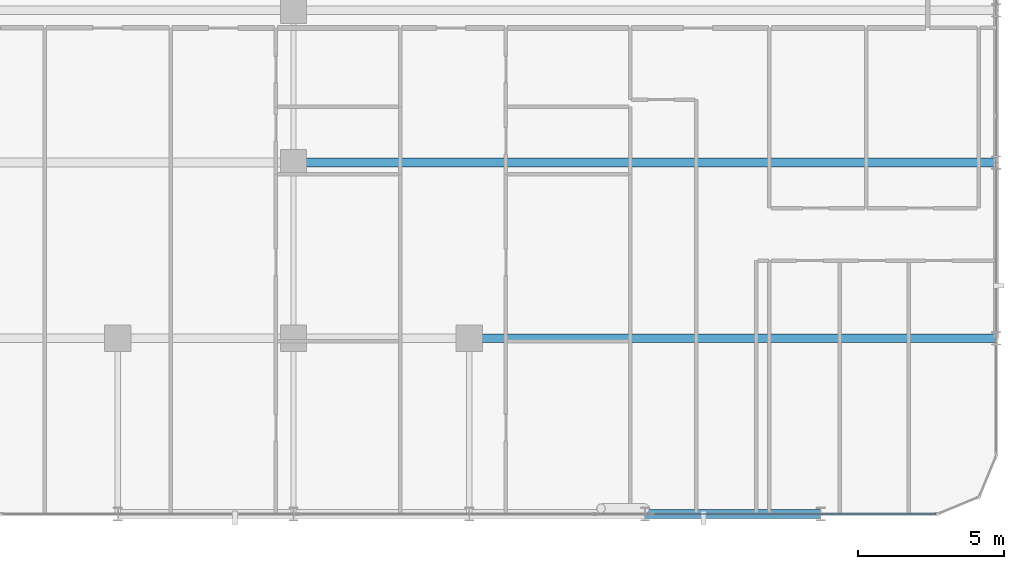
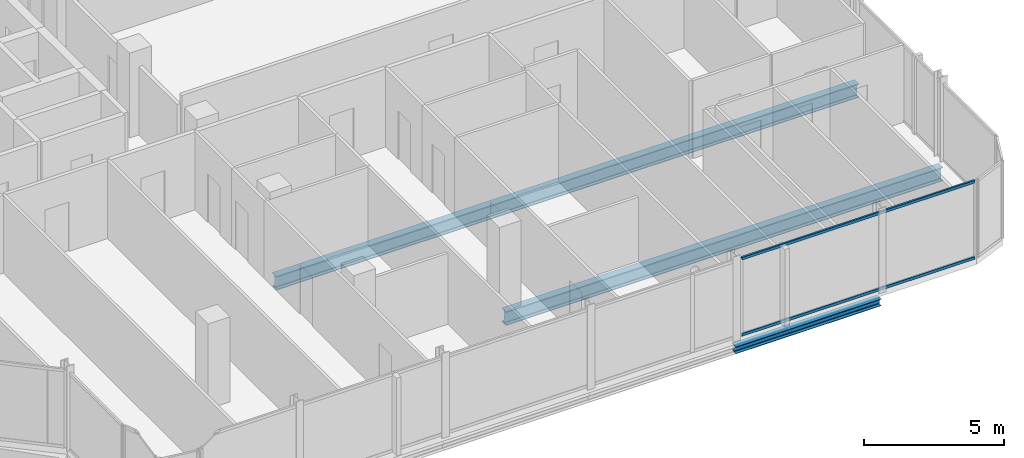
# One storey, part 11 of 29: 3 beams, 2 members, 1 element without a shape of its own.
"""IFC4 building model written with IfcOpenShell, lengths in metres."""

import ifcopenshell
import ifcopenshell.guid

model = None  # the IFC model being written
_history = None  # IfcOwnerHistory: only IFC2X3 demands one
_inside = {}  # id of a spatial element -> (the spatial element, [elements in it])
_under = {}  # id of a project, library or spatial element -> (it, [spatial elements below it])
_declared = {}  # id of a project -> (the project, [libraries it declares])
_typed = {}  # id of a type object -> (the type object, [elements of that type])
_made_of = {}  # id of a material, layer set ... -> (it, [elements and type objects made of it])


def new_model(schema):
    """Start an empty IFC model of exactly this schema.

    Asked for "IFC4X3", IfcOpenShell would pick the latest addendum, in which some entities
    have other attributes; the version numbers below select the first issue.
    IFC2X3 requires an IfcOwnerHistory on every rooted entity: one is made here for all.
    """
    global model, _history
    if schema == "IFC4X3":
        model = ifcopenshell.file(schema_version=(4, 3, 0, 0))
    else:
        model = ifcopenshell.file(schema=schema)
    _inside.clear()
    _under.clear()
    _declared.clear()
    _typed.clear()
    _made_of.clear()
    _history = None
    if model.schema == "IFC2X3":
        org = make("IfcOrganization", Name="unknown")
        user = make(
            "IfcPersonAndOrganization",
            ThePerson=make("IfcPerson", FamilyName="unknown"),
            TheOrganization=org,
        )
        app = make(
            "IfcApplication",
            ApplicationDeveloper=org,
            Version="unknown",
            ApplicationFullName="unknown",
            ApplicationIdentifier="unknown",
        )
        _history = make(
            "IfcOwnerHistory",
            OwningUser=user,
            OwningApplication=app,
            ChangeAction="ADDED",
            CreationDate=0,
        )
    return model


def make(cls, **values):
    """One entity of the class cls with the attributes given. An attribute that is None is left unset."""
    return model.create_entity(
        cls, **{name: value for name, value in values.items() if value is not None}
    )


def rooted(cls, **values):
    """An entity with a GlobalId (a new one), such as an element, a storey or a relation."""
    return make(cls, GlobalId=ifcopenshell.guid.new(), OwnerHistory=_history, **values)


def si_unit(unit_type, name, prefix=None):
    """IfcSIUnit, for example si_unit("LENGTHUNIT", "METRE", prefix="MILLI")."""
    return make("IfcSIUnit", UnitType=unit_type, Prefix=prefix, Name=name)


def assignment(units):
    """IfcUnitAssignment: the units of a project."""
    return None if units is None else make("IfcUnitAssignment", Units=units)


def point(xyz):
    """IfcCartesianPoint."""
    return None if xyz is None else make("IfcCartesianPoint", Coordinates=xyz)


def direction(xyz):
    """IfcDirection."""
    return None if xyz is None else make("IfcDirection", DirectionRatios=xyz)


def frame(location, z_axis=None, x_axis=None):
    """IfcAxis2Placement3D, a coordinate frame: its origin and axes. An axis left out is left unset."""
    return make(
        "IfcAxis2Placement3D",
        Location=point(location),
        Axis=direction(z_axis),
        RefDirection=direction(x_axis),
    )


def frame_2d(location, x_axis=None):
    """IfcAxis2Placement2D, a coordinate frame in the plane: its origin and x axis."""
    return make(
        "IfcAxis2Placement2D", Location=point(location), RefDirection=direction(x_axis)
    )


def origin():
    """The frame at (0, 0, 0) with its axes left unset."""
    return frame((0.0, 0.0, 0.0))


def origin_2d():
    """The frame at (0, 0) in the plane with its x axis left unset."""
    return frame_2d((0.0, 0.0))


def place(relative_to, where):
    """IfcLocalPlacement: puts the frame where relative to a parent placement (None: the world)."""
    return make(
        "IfcLocalPlacement", PlacementRelTo=relative_to, RelativePlacement=where
    )


def context(
    kind, dimensions, precision=None, world=None, true_north=None, identifier=None
):
    """IfcGeometricRepresentationContext, for example the 3D "Model" context."""
    return make(
        "IfcGeometricRepresentationContext",
        ContextIdentifier=identifier,
        ContextType=kind,
        CoordinateSpaceDimension=dimensions,
        Precision=precision,
        WorldCoordinateSystem=world,
        TrueNorth=true_north,
    )


def subcontext(parent, identifier, kind, view, scale=None):
    """IfcGeometricRepresentationSubContext, for example "Body" below "Model"."""
    return make(
        "IfcGeometricRepresentationSubContext",
        ContextIdentifier=identifier,
        ContextType=kind,
        ParentContext=parent,
        TargetScale=scale,
        TargetView=view,
    )


def project(units=None, contexts=None):
    """IfcProject with its units and contexts."""
    return rooted(
        "IfcProject",
        Name="project",
        RepresentationContexts=contexts,
        UnitsInContext=assignment(units),
    )


def spatial(cls, under=None, at=None, **own):
    """A site, building, storey or space (cls), placed at a placement, below another one or the project."""
    s = rooted(cls, ObjectPlacement=at, **own)
    if under is not None:
        _under.setdefault(under.id(), (under, []))[1].append(s)
    return s


def profile(cls, at=None, kind="AREA", **sizes):
    """A parametric profile (cls). Its sizes go by their IFC names, for example OverallWidth=200.0."""
    return make(cls, ProfileType=kind, Position=at, **sizes)


def hollow_rectangle(**sizes):
    """IfcRectangleHollowProfileDef."""
    return profile("IfcRectangleHollowProfileDef", **sizes)


def i_section(**sizes):
    """IfcIShapeProfileDef."""
    return profile("IfcIShapeProfileDef", **sizes)


def extrude(swept, where, along, depth):
    """IfcExtrudedAreaSolid: the profile swept, set in the frame where, extruded along a direction by depth."""
    return make(
        "IfcExtrudedAreaSolid",
        SweptArea=swept,
        Position=where,
        ExtrudedDirection=direction(along),
        Depth=depth,
    )


def shape(context_of_items, identifier, shape_type, items):
    """IfcShapeRepresentation: the items that make up one representation, for example the "Body"."""
    return make(
        "IfcShapeRepresentation",
        ContextOfItems=context_of_items,
        RepresentationIdentifier=identifier,
        RepresentationType=shape_type,
        Items=items,
    )


def material(Name=None, Category=None):
    """IfcMaterial."""
    return make("IfcMaterial", Name=Name, Category=Category)


def layer(
    of_material, thickness, ventilated=None, Name=None, Category=None, Priority=None
):
    """IfcMaterialLayer: one layer of a wall or slab, of a material (None: an air gap)."""
    return make(
        "IfcMaterialLayer",
        Material=of_material,
        LayerThickness=thickness,
        IsVentilated=ventilated,
        Name=Name,
        Category=Category,
        Priority=Priority,
    )


def layer_set(layers, Name=None):
    """IfcMaterialLayerSet."""
    return make("IfcMaterialLayerSet", MaterialLayers=layers, LayerSetName=Name)


def material_profile(
    of_material, cross_section, Name=None, Category=None, Priority=None
):
    """IfcMaterialProfile: a cross section and its material."""
    return make(
        "IfcMaterialProfile",
        Name=Name,
        Material=of_material,
        Profile=cross_section,
        Priority=Priority,
        Category=Category,
    )


def profile_set(profiles, Name=None, composite=None):
    """IfcMaterialProfileSet."""
    return make(
        "IfcMaterialProfileSet",
        Name=Name,
        MaterialProfiles=profiles,
        CompositeProfile=composite,
    )


def made_of(thing, what):
    """Note that an element or type object is made of a material, layer set ...; save() writes the relation."""
    if what is not None:
        _made_of.setdefault(what.id(), (what, []))[1].append(thing)
    return thing


def type_object(cls, material=None, **own):
    """A type object (cls), such as IfcWallType, which elements share."""
    return made_of(rooted(cls, **own), material)


def element(
    cls,
    number,
    at=None,
    inside=None,
    cuts=None,
    type_object=None,
    material=None,
    context=None,
    identifier="Body",
    shape_type=None,
    held_by="IfcProductDefinitionShape",
    body=None,
    shapes=None,
    **own,
):
    """One element of the class cls, such as IfcWall. Its Tag is "e" and its number.

    at: its placement. inside: the storey or other place that contains it. cuts: it is an
    opening in that element (IfcRelVoidsElement). A single representation is given by context,
    identifier, shape_type and body (its items); several are given by shapes. held_by: the class
    of the entity that holds the representations. save() writes the other relations.
    """
    e = rooted(cls, Tag="e%d" % number, ObjectPlacement=at, **own)
    if body is not None:
        shapes = [shape(context, identifier, shape_type, body)]
    if shapes is not None:
        e.Representation = make(held_by, Representations=shapes)
    if inside is not None:
        _inside.setdefault(inside.id(), (inside, []))[1].append(e)
    if cuts is not None:
        rooted(
            "IfcRelVoidsElement", RelatingBuildingElement=cuts, RelatedOpeningElement=e
        )
    if type_object is not None:
        _typed.setdefault(type_object.id(), (type_object, []))[1].append(e)
    return made_of(e, material)


def aggregate(whole, parts):
    """IfcRelAggregates: a whole, such as a stair, and the parts it consists of."""
    return rooted("IfcRelAggregates", RelatingObject=whole, RelatedObjects=parts)


def save(model, path):
    """Write the relations noted so far, then the file.

    IfcRelAggregates (storeys below a building ...), IfcRelContainedInSpatialStructure (elements
    in a storey), IfcRelDefinesByType, IfcRelAssociatesMaterial and IfcRelDeclares: one each for
    every whole, place, type object, material and project.
    """
    for whole, parts in _under.values():
        aggregate(whole, parts)
    for where, things in _inside.values():
        rooted(
            "IfcRelContainedInSpatialStructure",
            RelatedElements=things,
            RelatingStructure=where,
        )
    for kind, things in _typed.values():
        rooted("IfcRelDefinesByType", RelatedObjects=things, RelatingType=kind)
    for what, things in _made_of.values():
        rooted("IfcRelAssociatesMaterial", RelatedObjects=things, RelatingMaterial=what)
    for by, libraries in _declared.values():
        rooted("IfcRelDeclares", RelatingContext=by, RelatedDefinitions=libraries)
    model.write(path)


model = new_model("IFC4")

# Units and contexts
model_context = context("Model", 3, precision=1e-05, world=origin(), true_north=direction((0.0, 1.0)))
body_context = subcontext(model_context, "Body", "Model", "MODEL_VIEW")
ifc_project = project(units=[si_unit("LENGTHUNIT", "METRE"), si_unit("AREAUNIT", "SQUARE_METRE"), si_unit("VOLUMEUNIT", "CUBIC_METRE"), si_unit("PLANEANGLEUNIT", "RADIAN"), si_unit("MASSUNIT", "GRAM", prefix="KILO")], contexts=[model_context])

# Site, building, storey
site_placement = place(None, origin())
site = spatial("IfcSite", under=ifc_project, at=site_placement, CompositionType="ELEMENT")
building_placement = place(site_placement, origin())
building = spatial("IfcBuilding", under=site, at=building_placement, Name="Keshet Zoharim Tower", CompositionType="ELEMENT")
storey_placement = place(building_placement, frame((0.0, 0.0, 195.800048828125)))
storey = spatial("IfcBuildingStorey", under=building, at=storey_placement, Name="L48", CompositionType="ELEMENT", Elevation=195.800048828125)

# Beams
ifc_material_1 = material(Name="Steel S355", Category="steel")
ifc_material_profile_1 = material_profile(ifc_material_1, i_section(OverallWidth=0.300048828125, OverallDepth=0.60009765625, WebThickness=0.015380859375, FlangeThickness=0.030029296875, FilletRadius=0.027099609375, at=origin_2d()), Name="HEB600")
ifc_profile_set_1 = profile_set([ifc_material_profile_1], Name="Steel S355")
beam_type_1 = type_object("IfcBeamType", Name="BM-LNG-HB600", PredefinedType="BEAM", material=ifc_profile_set_1)
beam_1_placement = place(storey_placement, frame((39.0, 6.699951171875, -0.610107421875), z_axis=(1.0, 0.0, 0.0), x_axis=(0.0, 1.0, 0.0)))
element("IfcBeam", 1, at=beam_1_placement, inside=storey, type_object=beam_type_1, Name="L48 Primary Girder X-008", PredefinedType="BEAM", context=body_context, shape_type="SweptSolid", body=[
    extrude(i_section(OverallWidth=0.300048828125, OverallDepth=0.60009765625, WebThickness=0.015380859375, FlangeThickness=0.030029296875, FilletRadius=0.027099609375, at=origin_2d()), origin(), (0.0, 0.0, 1.0), 18.0),
])
beam_2_placement = place(storey_placement, frame((33.0, 12.699951171875, -0.610107421875), z_axis=(1.0, 0.0, 0.0), x_axis=(0.0, 1.0, 0.0)))
element("IfcBeam", 2, at=beam_2_placement, inside=storey, type_object=beam_type_1, Name="L48 Primary Girder X-010", PredefinedType="BEAM", context=body_context, shape_type="SweptSolid", body=[
    extrude(i_section(OverallWidth=0.300048828125, OverallDepth=0.60009765625, WebThickness=0.015380859375, FlangeThickness=0.030029296875, FilletRadius=0.027099609375, at=origin_2d()), origin(), (0.0, 0.0, 1.0), 24.0),
])
ifc_material_profile_2 = material_profile(ifc_material_1, i_section(OverallWidth=0.300048828125, OverallDepth=0.300048828125, WebThickness=0.010986328125, FlangeThickness=0.01904296875, FilletRadius=0.027099609375, at=origin_2d()), Name="HEB300")
ifc_profile_set_2 = profile_set([ifc_material_profile_2], Name="Steel S355")
beam_type_2 = type_object("IfcBeamType", Name="BM-PRI-HB300", PredefinedType="BEAM", material=ifc_profile_set_2)
beam_3_placement = place(storey_placement, frame((45.0, 0.699951171875, -0.4599609375), z_axis=(1.0, 0.0, 0.0), x_axis=(0.0, 1.0, 0.0)))
element("IfcBeam", 3, at=beam_3_placement, inside=storey, type_object=beam_type_2, Name="L48 Primary Girder X-004", PredefinedType="BEAM", context=body_context, shape_type="SweptSolid", body=[
    extrude(i_section(OverallWidth=0.300048828125, OverallDepth=0.300048828125, WebThickness=0.010986328125, FlangeThickness=0.01904296875, FilletRadius=0.027099609375, at=origin_2d()), origin(), (0.0, 0.0, 1.0), 6.0),
])

# Curtain wall, members
ifc_material_2 = material(Name="Aluminium 6063-T6", Category="aluminium")
ifc_layer = layer(ifc_material_2, 0.139892578125)
ifc_layer_set = layer_set([ifc_layer], Name="Aluminium 6063-T6")
curtain_wall_type = type_object("IfcCurtainWallType", Name="CW-SYS-05", PredefinedType="NOTDEFINED", material=ifc_layer_set)
curtain_wall_placement = place(storey_placement, origin())
curtain_wall = element("IfcCurtainWall", 4, at=curtain_wall_placement, inside=storey, type_object=curtain_wall_type, Name="L48 Unitised Curtain Wall 06", PredefinedType="NOTDEFINED")
ifc_material_profile_3 = material_profile(ifc_material_2, hollow_rectangle(XDim=0.074951171875, YDim=0.1201171875, WallThickness=0.00390625, at=origin_2d()), Name="TRN-75x120")
ifc_profile_set_3 = profile_set([ifc_material_profile_3], Name="Aluminium 6063-T6")
member_type = type_object("IfcMemberType", Name="CWT-T12", PredefinedType="USERDEFINED", material=ifc_profile_set_3)
member_1_placement = place(storey_placement, frame((54.929931640625, 0.699951171875, 0.034912109375), z_axis=(-1.0, 0.0, 0.0), x_axis=(0.0, -1.0, 0.0)))
member_1 = element("IfcMember", 5, at=member_1_placement, type_object=member_type, Name="CW-05 transom 1.1", ObjectType="TRANSOM", PredefinedType="USERDEFINED", context=body_context, shape_type="SweptSolid", body=[
    extrude(hollow_rectangle(XDim=0.074951171875, YDim=0.1201171875, WallThickness=0.00390625, at=origin_2d()), origin(), (0.0, 0.0, 1.0), 9.61181640625),
])
member_2_placement = place(storey_placement, frame((54.929931640625, 0.699951171875, 3.35498046875), z_axis=(-1.0, 0.0, 0.0), x_axis=(0.0, -1.0, 0.0)))
member_2 = element("IfcMember", 6, at=member_2_placement, type_object=member_type, Name="CW-05 transom 1.2", ObjectType="TRANSOM", PredefinedType="USERDEFINED", context=body_context, shape_type="SweptSolid", body=[
    extrude(hollow_rectangle(XDim=0.074951171875, YDim=0.1201171875, WallThickness=0.00390625, at=origin_2d()), origin(), (0.0, 0.0, 1.0), 9.61181640625),
])
aggregate(curtain_wall, [member_1, member_2])

save(model, "model.ifc")
